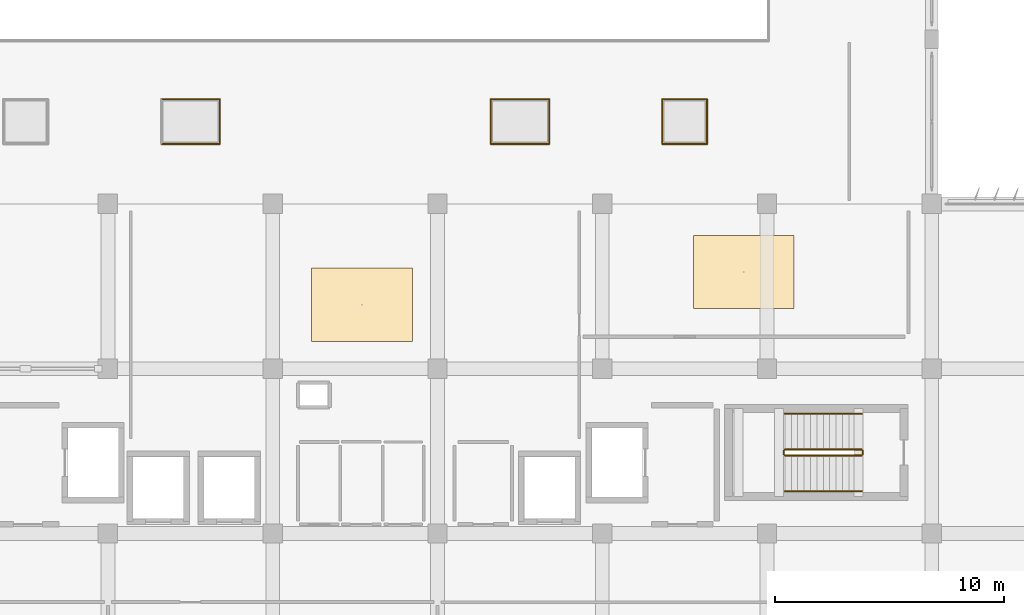
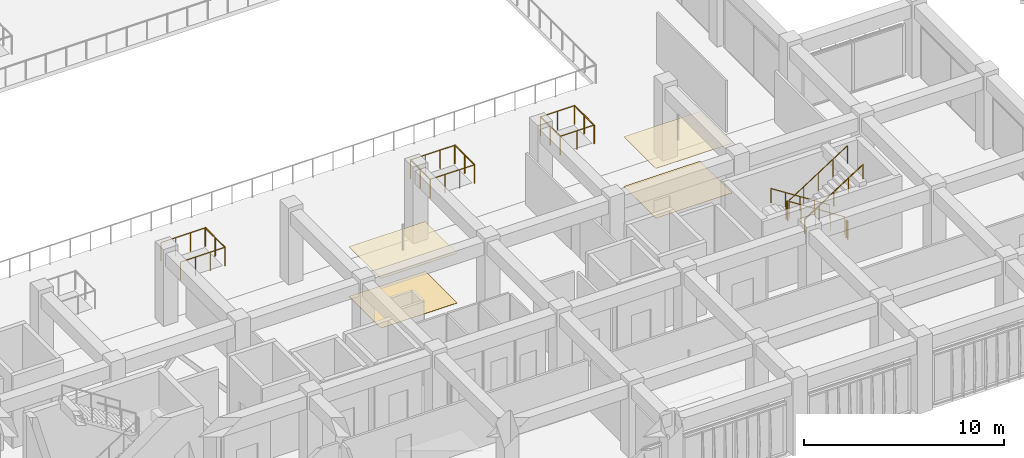
# One storey, part 52 of 55: 17 railings, 4 coverings.
"""IFC4 building model written with IfcOpenShell, lengths in metres."""

from ifc_helpers import new_model, si_unit, direction, frame, origin, origin_2d, place, context, subcontext, project, spatial, rectangle, circle, extrude, material, layer, layer_set, type_object, element, save


model = new_model("IFC4")

# Units and contexts
model_context = context("Model", 3, precision=1e-05, world=origin(), true_north=direction((0.0, 1.0)))
body_context = subcontext(model_context, "Body", "Model", "MODEL_VIEW")
ifc_project = project(units=[si_unit("LENGTHUNIT", "METRE"), si_unit("AREAUNIT", "SQUARE_METRE"), si_unit("VOLUMEUNIT", "CUBIC_METRE"), si_unit("PLANEANGLEUNIT", "RADIAN"), si_unit("MASSUNIT", "GRAM", prefix="KILO")], contexts=[model_context])

# Site, building, storey
site_placement = place(None, origin())
site = spatial("IfcSite", under=ifc_project, at=site_placement, CompositionType="ELEMENT")
building_placement = place(site_placement, origin())
building = spatial("IfcBuilding", under=site, at=building_placement, Name="Kazehaya Institute of Natural Sciences", CompositionType="ELEMENT")
storey_placement = place(building_placement, frame((0.0, 0.0, 15.1201171875)))
storey = spatial("IfcBuildingStorey", under=building, at=storey_placement, Name="L03", CompositionType="ELEMENT", Elevation=15.1201171875)

# Coverings
ifc_material_1 = material(Name="Mineral-fibre acoustic ceiling tile")
ifc_layer_1 = layer(ifc_material_1, 0.02490234375, Name="Mineral-fibre acoustic ceiling tile")
ifc_layer_set_1 = layer_set([ifc_layer_1], Name="Mineral-fibre acoustic ceiling tile")
covering_type_1 = type_object("IfcCoveringType", Name="COV-CEIL-AC", PredefinedType="CEILING", material=ifc_layer_set_1)
for number, where, z_axis, x_axis, name in (
    (1, (87.302001953125, 31.19580078125, 3.02734375), (0.0, 0.0, 1.0), (1.0, 0.0, 0.0), "L03 Isotope Geochemistry Laboratory ceiling 35"),
    (2, (103.989990234375, 32.625, 3.02734375), (0.0, 0.0, 1.0), (1.0, 0.0, 0.0), "L03 Shared NMR and Optical Instrument Suite ceiling 36"),
):
    element("IfcCovering", number, at=place(storey_placement, frame(where, z_axis=z_axis, x_axis=x_axis)), inside=storey, type_object=covering_type_1, Name=name, PredefinedType="CEILING", context=body_context, shape_type="SweptSolid", body=[
        extrude(rectangle(XDim=4.39990234375, YDim=3.199951171875, at=origin_2d()), origin(), (0.0, 0.0, 1.0), 0.02490234375),
    ])
ifc_material_2 = material(Name="Seamless chemical-resistant epoxy flooring")
ifc_layer_2 = layer(ifc_material_2, 0.014892578125, Name="Seamless chemical-resistant epoxy flooring")
ifc_layer_set_2 = layer_set([ifc_layer_2], Name="Seamless chemical-resistant epoxy flooring")
covering_type_2 = type_object("IfcCoveringType", Name="COV-FLR-EPX", PredefinedType="FLOORING", material=ifc_layer_set_2)
for number, where, z_axis, x_axis, name in (
    (3, (87.302001953125, 31.19580078125, 0.0), (0.0, 0.0, 1.0), (1.0, 0.0, 0.0), "L03 Isotope Geochemistry Laboratory finish flooring 35"),
    (4, (103.989990234375, 32.625, 0.0), (0.0, 0.0, 1.0), (1.0, 0.0, 0.0), "L03 Shared NMR and Optical Instrument Suite finish flooring 36"),
):
    element("IfcCovering", number, at=place(storey_placement, frame(where, z_axis=z_axis, x_axis=x_axis)), inside=storey, type_object=covering_type_2, Name=name, PredefinedType="FLOORING", context=body_context, shape_type="SweptSolid", body=[
        extrude(rectangle(XDim=4.39990234375, YDim=3.199951171875, at=origin_2d()), origin(), (0.0, 0.0, 1.0), 0.014892578125),
    ])

# Railings
ifc_material_3 = material(Name="Structural steel SN490B", Category="steel")
railing_type_1 = type_object("IfcRailingType", Name="RL-GUARD-VOID", PredefinedType="GUARDRAIL", material=ifc_material_3)
railing_1_placement = place(storey_placement, frame((78.52001953125, 38.219970703125, 0.0)))
element("IfcRailing", 5, at=railing_1_placement, inside=storey, type_object=railing_type_1, Name="L03 skylight 02 perimeter guard 1", PredefinedType="GUARDRAIL", context=body_context, shape_type="SweptSolid", body=[
    extrude(circle(Radius=0.02392578125, at=origin_2d()), frame((0.0, 0.0, 1.1259765625), z_axis=(1.0, 0.0, 0.0), x_axis=(0.0, 1.0, 0.0)), (0.0, 0.0, 1.0), 2.56005859375),
    extrude(circle(Radius=0.02099609375, at=origin_2d()), origin(), (0.0, 0.0, 1.0), 1.101806640625),
    extrude(circle(Radius=0.02099609375, at=origin_2d()), frame((0.853271484375, 0.0, 0.0)), (0.0, 0.0, 1.0), 1.101806640625),
    extrude(circle(Radius=0.02099609375, at=origin_2d()), frame((1.706787109375, 0.0, 0.0)), (0.0, 0.0, 1.0), 1.101806640625),
    extrude(circle(Radius=0.02099609375, at=origin_2d()), frame((2.56005859375, 0.0, 0.0)), (0.0, 0.0, 1.0), 1.101806640625),
])
railing_2_placement = place(storey_placement, frame((81.080078125, 38.219970703125, 0.0)))
element("IfcRailing", 6, at=railing_2_placement, inside=storey, type_object=railing_type_1, Name="L03 skylight 02 perimeter guard 2", PredefinedType="GUARDRAIL", context=body_context, shape_type="SweptSolid", body=[
    extrude(circle(Radius=0.02392578125, at=origin_2d()), frame((0.0, 0.0, 1.1259765625), z_axis=(0.0, 1.0, 0.0), x_axis=(-1.0, 0.0, 0.0)), (0.0, 0.0, 1.0), 1.9599609375),
    extrude(circle(Radius=0.02099609375, at=origin_2d()), origin(), (0.0, 0.0, 1.0), 1.101806640625),
    extrude(circle(Radius=0.02099609375, at=origin_2d()), frame((0.0, 0.97998046875, 0.0)), (0.0, 0.0, 1.0), 1.101806640625),
    extrude(circle(Radius=0.02099609375, at=origin_2d()), frame((0.0, 1.9599609375, 0.0)), (0.0, 0.0, 1.0), 1.101806640625),
])
railing_3_placement = place(storey_placement, frame((81.080078125, 40.179931640625, 0.0)))
element("IfcRailing", 7, at=railing_3_placement, inside=storey, type_object=railing_type_1, Name="L03 skylight 02 perimeter guard 3", PredefinedType="GUARDRAIL", context=body_context, shape_type="SweptSolid", body=[
    extrude(circle(Radius=0.02392578125, at=origin_2d()), frame((0.0, 0.0, 1.1259765625), z_axis=(-1.0, 0.0, 0.0), x_axis=(0.0, -1.0, 0.0)), (0.0, 0.0, 1.0), 2.56005859375),
    extrude(circle(Radius=0.02099609375, at=origin_2d()), origin(), (0.0, 0.0, 1.0), 1.101806640625),
    extrude(circle(Radius=0.02099609375, at=origin_2d()), frame((-0.853271484375, 0.0, 0.0)), (0.0, 0.0, 1.0), 1.101806640625),
    extrude(circle(Radius=0.02099609375, at=origin_2d()), frame((-1.706787109375, 0.0, 0.0)), (0.0, 0.0, 1.0), 1.101806640625),
    extrude(circle(Radius=0.02099609375, at=origin_2d()), frame((-2.56005859375, 0.0, 0.0)), (0.0, 0.0, 1.0), 1.101806640625),
])
railing_4_placement = place(storey_placement, frame((92.919921875, 38.219970703125, 0.0)))
element("IfcRailing", 8, at=railing_4_placement, inside=storey, type_object=railing_type_1, Name="L03 skylight 03 perimeter guard 1", PredefinedType="GUARDRAIL", context=body_context, shape_type="SweptSolid", body=[
    extrude(circle(Radius=0.02392578125, at=origin_2d()), frame((0.0, 0.0, 1.1259765625), z_axis=(1.0, 0.0, 0.0), x_axis=(0.0, 1.0, 0.0)), (0.0, 0.0, 1.0), 2.56005859375),
    extrude(circle(Radius=0.02099609375, at=origin_2d()), origin(), (0.0, 0.0, 1.0), 1.101806640625),
    extrude(circle(Radius=0.02099609375, at=origin_2d()), frame((0.853271484375, 0.0, 0.0)), (0.0, 0.0, 1.0), 1.101806640625),
    extrude(circle(Radius=0.02099609375, at=origin_2d()), frame((1.706787109375, 0.0, 0.0)), (0.0, 0.0, 1.0), 1.101806640625),
    extrude(circle(Radius=0.02099609375, at=origin_2d()), frame((2.56005859375, 0.0, 0.0)), (0.0, 0.0, 1.0), 1.101806640625),
])
railing_5_placement = place(storey_placement, frame((95.47998046875, 38.219970703125, 0.0)))
element("IfcRailing", 9, at=railing_5_placement, inside=storey, type_object=railing_type_1, Name="L03 skylight 03 perimeter guard 2", PredefinedType="GUARDRAIL", context=body_context, shape_type="SweptSolid", body=[
    extrude(circle(Radius=0.02392578125, at=origin_2d()), frame((0.0, 0.0, 1.1259765625), z_axis=(0.0, 1.0, 0.0), x_axis=(-1.0, 0.0, 0.0)), (0.0, 0.0, 1.0), 1.9599609375),
    extrude(circle(Radius=0.02099609375, at=origin_2d()), origin(), (0.0, 0.0, 1.0), 1.101806640625),
    extrude(circle(Radius=0.02099609375, at=origin_2d()), frame((0.0, 0.97998046875, 0.0)), (0.0, 0.0, 1.0), 1.101806640625),
    extrude(circle(Radius=0.02099609375, at=origin_2d()), frame((0.0, 1.9599609375, 0.0)), (0.0, 0.0, 1.0), 1.101806640625),
])
railing_6_placement = place(storey_placement, frame((95.47998046875, 40.179931640625, 0.0)))
element("IfcRailing", 10, at=railing_6_placement, inside=storey, type_object=railing_type_1, Name="L03 skylight 03 perimeter guard 3", PredefinedType="GUARDRAIL", context=body_context, shape_type="SweptSolid", body=[
    extrude(circle(Radius=0.02392578125, at=origin_2d()), frame((0.0, 0.0, 1.1259765625), z_axis=(-1.0, 0.0, 0.0), x_axis=(0.0, -1.0, 0.0)), (0.0, 0.0, 1.0), 2.56005859375),
    extrude(circle(Radius=0.02099609375, at=origin_2d()), origin(), (0.0, 0.0, 1.0), 1.101806640625),
    extrude(circle(Radius=0.02099609375, at=origin_2d()), frame((-0.853271484375, 0.0, 0.0)), (0.0, 0.0, 1.0), 1.101806640625),
    extrude(circle(Radius=0.02099609375, at=origin_2d()), frame((-1.706787109375, 0.0, 0.0)), (0.0, 0.0, 1.0), 1.101806640625),
    extrude(circle(Radius=0.02099609375, at=origin_2d()), frame((-2.56005859375, 0.0, 0.0)), (0.0, 0.0, 1.0), 1.101806640625),
])
railing_7_placement = place(storey_placement, frame((92.919921875, 40.179931640625, 0.0)))
element("IfcRailing", 11, at=railing_7_placement, inside=storey, type_object=railing_type_1, Name="L03 skylight 03 perimeter guard 4", PredefinedType="GUARDRAIL", context=body_context, shape_type="SweptSolid", body=[
    extrude(circle(Radius=0.02392578125, at=origin_2d()), frame((0.0, 0.0, 1.1259765625), z_axis=(0.0, -1.0, 0.0), x_axis=(1.0, 0.0, 0.0)), (0.0, 0.0, 1.0), 1.9599609375),
    extrude(circle(Radius=0.02099609375, at=origin_2d()), origin(), (0.0, 0.0, 1.0), 1.101806640625),
    extrude(circle(Radius=0.02099609375, at=origin_2d()), frame((0.0, -0.97998046875, 0.0)), (0.0, 0.0, 1.0), 1.101806640625),
    extrude(circle(Radius=0.02099609375, at=origin_2d()), frame((0.0, -1.9599609375, 0.0)), (0.0, 0.0, 1.0), 1.101806640625),
])
railing_8_placement = place(storey_placement, frame((100.419921875, 38.219970703125, 0.0)))
element("IfcRailing", 12, at=railing_8_placement, inside=storey, type_object=railing_type_1, Name="L03 skylight 04 perimeter guard 1", PredefinedType="GUARDRAIL", context=body_context, shape_type="SweptSolid", body=[
    extrude(circle(Radius=0.02392578125, at=origin_2d()), frame((0.0, 0.0, 1.1259765625), z_axis=(1.0, 0.0, 0.0), x_axis=(0.0, 1.0, 0.0)), (0.0, 0.0, 1.0), 1.9599609375),
    extrude(circle(Radius=0.02099609375, at=origin_2d()), origin(), (0.0, 0.0, 1.0), 1.101806640625),
    extrude(circle(Radius=0.02099609375, at=origin_2d()), frame((0.97998046875, 0.0, 0.0)), (0.0, 0.0, 1.0), 1.101806640625),
    extrude(circle(Radius=0.02099609375, at=origin_2d()), frame((1.9599609375, 0.0, 0.0)), (0.0, 0.0, 1.0), 1.101806640625),
])
railing_9_placement = place(storey_placement, frame((102.3798828125, 38.219970703125, 0.0)))
element("IfcRailing", 13, at=railing_9_placement, inside=storey, type_object=railing_type_1, Name="L03 skylight 04 perimeter guard 2", PredefinedType="GUARDRAIL", context=body_context, shape_type="SweptSolid", body=[
    extrude(circle(Radius=0.02392578125, at=origin_2d()), frame((0.0, 0.0, 1.1259765625), z_axis=(0.0, 1.0, 0.0), x_axis=(-1.0, 0.0, 0.0)), (0.0, 0.0, 1.0), 1.9599609375),
    extrude(circle(Radius=0.02099609375, at=origin_2d()), origin(), (0.0, 0.0, 1.0), 1.101806640625),
    extrude(circle(Radius=0.02099609375, at=origin_2d()), frame((0.0, 0.97998046875, 0.0)), (0.0, 0.0, 1.0), 1.101806640625),
    extrude(circle(Radius=0.02099609375, at=origin_2d()), frame((0.0, 1.9599609375, 0.0)), (0.0, 0.0, 1.0), 1.101806640625),
])
railing_10_placement = place(storey_placement, frame((102.3798828125, 40.179931640625, 0.0)))
element("IfcRailing", 14, at=railing_10_placement, inside=storey, type_object=railing_type_1, Name="L03 skylight 04 perimeter guard 3", PredefinedType="GUARDRAIL", context=body_context, shape_type="SweptSolid", body=[
    extrude(circle(Radius=0.02392578125, at=origin_2d()), frame((0.0, 0.0, 1.1259765625), z_axis=(-1.0, 0.0, 0.0), x_axis=(0.0, -1.0, 0.0)), (0.0, 0.0, 1.0), 1.9599609375),
    extrude(circle(Radius=0.02099609375, at=origin_2d()), origin(), (0.0, 0.0, 1.0), 1.101806640625),
    extrude(circle(Radius=0.02099609375, at=origin_2d()), frame((-0.97998046875, 0.0, 0.0)), (0.0, 0.0, 1.0), 1.101806640625),
    extrude(circle(Radius=0.02099609375, at=origin_2d()), frame((-1.9599609375, 0.0, 0.0)), (0.0, 0.0, 1.0), 1.101806640625),
])
railing_11_placement = place(storey_placement, frame((100.419921875, 40.179931640625, 0.0)))
element("IfcRailing", 15, at=railing_11_placement, inside=storey, type_object=railing_type_1, Name="L03 skylight 04 perimeter guard 4", PredefinedType="GUARDRAIL", context=body_context, shape_type="SweptSolid", body=[
    extrude(circle(Radius=0.02392578125, at=origin_2d()), frame((0.0, 0.0, 1.1259765625), z_axis=(0.0, -1.0, 0.0), x_axis=(1.0, 0.0, 0.0)), (0.0, 0.0, 1.0), 1.9599609375),
    extrude(circle(Radius=0.02099609375, at=origin_2d()), origin(), (0.0, 0.0, 1.0), 1.101806640625),
    extrude(circle(Radius=0.02099609375, at=origin_2d()), frame((0.0, -0.97998046875, 0.0)), (0.0, 0.0, 1.0), 1.101806640625),
    extrude(circle(Radius=0.02099609375, at=origin_2d()), frame((0.0, -1.9599609375, 0.0)), (0.0, 0.0, 1.0), 1.101806640625),
])
railing_type_2 = type_object("IfcRailingType", Name="RL-STAIR-GRD", PredefinedType="GUARDRAIL", material=ifc_material_3)
railing_12_placement = place(storey_placement, frame((109.139892578125, 24.8701171875, 0.179931640625)))
element("IfcRailing", 16, at=railing_12_placement, inside=storey, type_object=railing_type_2, Name="L03 ST-2 stair guard 1", PredefinedType="GUARDRAIL", context=body_context, shape_type="SweptSolid", body=[
    extrude(circle(Radius=0.02392578125, at=origin_2d()), frame((0.0, 0.0, 1.076171875), z_axis=(-0.841178475377, 0.0, 0.540757591313), x_axis=(0.0, -1.0, 0.0)), (0.0, 0.0, 1.0), 3.994140625),
    extrude(circle(Radius=0.02099609375, at=origin_2d()), origin(), (0.0, 0.0, 1.0), 1.052001953125),
    extrude(circle(Radius=0.02099609375, at=origin_2d()), frame((-0.83984375, 0.0, 0.5400390625)), (0.0, 0.0, 1.0), 1.052001953125),
    extrude(circle(Radius=0.02099609375, at=origin_2d()), frame((-1.679931640625, 0.0, 1.080078125)), (0.0, 0.0, 1.0), 1.052001953125),
    extrude(circle(Radius=0.02099609375, at=origin_2d()), frame((-2.52001953125, 0.0, 1.619873046875)), (0.0, 0.0, 1.0), 1.052001953125),
    extrude(circle(Radius=0.02099609375, at=origin_2d()), frame((-3.35986328125, 0.0, 2.159912109375)), (0.0, 0.0, 1.0), 1.052001953125),
])
railing_13_placement = place(storey_placement, frame((105.72998046875, 24.820068359375, 2.33984375)))
element("IfcRailing", 17, at=railing_13_placement, inside=storey, type_object=railing_type_2, Name="L03 ST-2 stair guard 2", PredefinedType="GUARDRAIL", context=body_context, shape_type="SweptSolid", body=[
    extrude(circle(Radius=0.02392578125, at=origin_2d()), frame((0.0, 0.0, 1.076171875), z_axis=(0.0, -1.0, 0.0), x_axis=(1.0, 0.0, 0.0)), (0.0, 0.0, 1.0), 0.16015625),
    extrude(circle(Radius=0.02099609375, at=origin_2d()), origin(), (0.0, 0.0, 1.0), 1.052001953125),
    extrude(circle(Radius=0.02099609375, at=origin_2d()), frame((0.0, -0.16015625, 0.0)), (0.0, 0.0, 1.0), 1.052001953125),
])
railing_14_placement = place(storey_placement, frame((105.780029296875, 24.610107421875, 2.519775390625)))
element("IfcRailing", 18, at=railing_14_placement, inside=storey, type_object=railing_type_2, Name="L03 ST-2 stair guard 3", PredefinedType="GUARDRAIL", context=body_context, shape_type="SweptSolid", body=[
    extrude(circle(Radius=0.02392578125, at=origin_2d()), frame((0.0, 0.0, 1.076171875), z_axis=(0.841150671818, 0.0, 0.540800838849), x_axis=(0.0, 1.0, 0.0)), (0.0, 0.0, 1.0), 3.994384765625),
    extrude(circle(Radius=0.02099609375, at=origin_2d()), origin(), (0.0, 0.0, 1.0), 1.052001953125),
    extrude(circle(Radius=0.02099609375, at=origin_2d()), frame((0.83984375, 0.0, 0.5400390625)), (0.0, 0.0, 1.0), 1.052001953125),
    extrude(circle(Radius=0.02099609375, at=origin_2d()), frame((1.679931640625, 0.0, 1.080078125)), (0.0, 0.0, 1.0), 1.052001953125),
    extrude(circle(Radius=0.02099609375, at=origin_2d()), frame((2.52001953125, 0.0, 1.6201171875)), (0.0, 0.0, 1.0), 1.052001953125),
    extrude(circle(Radius=0.02099609375, at=origin_2d()), frame((3.35986328125, 0.0, 2.16015625)), (0.0, 0.0, 1.0), 1.052001953125),
])
railing_15_placement = place(storey_placement, frame((109.18994140625, 24.820068359375, 0.0)))
element("IfcRailing", 19, at=railing_15_placement, inside=storey, type_object=railing_type_2, Name="L03 ST-2 stair guard 4", PredefinedType="GUARDRAIL", context=body_context, shape_type="SweptSolid", body=[
    extrude(circle(Radius=0.02392578125, at=origin_2d()), frame((0.0, 0.0, 1.076171875), z_axis=(0.0, -1.0, 0.0), x_axis=(1.0, 0.0, 0.0)), (0.0, 0.0, 1.0), 0.16015625),
    extrude(circle(Radius=0.02099609375, at=origin_2d()), origin(), (0.0, 0.0, 1.0), 1.052001953125),
    extrude(circle(Radius=0.02099609375, at=origin_2d()), frame((0.0, -0.16015625, 0.0)), (0.0, 0.0, 1.0), 1.052001953125),
])
ifc_material_4 = material(Name="Brushed stainless steel handrail", Category="steel")
railing_type_3 = type_object("IfcRailingType", Name="RL-STAIR-HND", PredefinedType="HANDRAIL", material=ifc_material_4)
railing_16_placement = place(storey_placement, frame((109.139892578125, 26.429931640625, 0.179931640625)))
element("IfcRailing", 20, at=railing_16_placement, inside=storey, type_object=railing_type_3, Name="L03 ST-2 stair handrail 1", PredefinedType="HANDRAIL", context=body_context, shape_type="SweptSolid", body=[
    extrude(circle(Radius=0.02392578125, at=origin_2d()), frame((0.0, 0.0, 0.8759765625), z_axis=(-0.841178475377, 0.0, 0.540757591313), x_axis=(0.0, -1.0, 0.0)), (0.0, 0.0, 1.0), 3.994140625),
    extrude(circle(Radius=0.02099609375, at=origin_2d()), origin(), (0.0, 0.0, 1.0), 0.851806640625),
    extrude(circle(Radius=0.02099609375, at=origin_2d()), frame((-0.83984375, 0.0, 0.5400390625)), (0.0, 0.0, 1.0), 0.851806640625),
    extrude(circle(Radius=0.02099609375, at=origin_2d()), frame((-1.679931640625, 0.0, 1.080078125)), (0.0, 0.0, 1.0), 0.851806640625),
    extrude(circle(Radius=0.02099609375, at=origin_2d()), frame((-2.52001953125, 0.0, 1.619873046875)), (0.0, 0.0, 1.0), 0.851806640625),
    extrude(circle(Radius=0.02099609375, at=origin_2d()), frame((-3.35986328125, 0.0, 2.159912109375)), (0.0, 0.0, 1.0), 0.851806640625),
])
railing_17_placement = place(storey_placement, frame((105.780029296875, 23.050048828125, 2.519775390625)))
element("IfcRailing", 21, at=railing_17_placement, inside=storey, type_object=railing_type_3, Name="L03 ST-2 stair handrail 2", PredefinedType="HANDRAIL", context=body_context, shape_type="SweptSolid", body=[
    extrude(circle(Radius=0.02392578125, at=origin_2d()), frame((0.0, 0.0, 0.8759765625), z_axis=(0.841150671818, 0.0, 0.540800838849), x_axis=(0.0, 1.0, 0.0)), (0.0, 0.0, 1.0), 3.994384765625),
    extrude(circle(Radius=0.02099609375, at=origin_2d()), origin(), (0.0, 0.0, 1.0), 0.851806640625),
    extrude(circle(Radius=0.02099609375, at=origin_2d()), frame((0.83984375, 0.0, 0.5400390625)), (0.0, 0.0, 1.0), 0.851806640625),
    extrude(circle(Radius=0.02099609375, at=origin_2d()), frame((1.679931640625, 0.0, 1.080078125)), (0.0, 0.0, 1.0), 0.851806640625),
    extrude(circle(Radius=0.02099609375, at=origin_2d()), frame((2.52001953125, 0.0, 1.6201171875)), (0.0, 0.0, 1.0), 0.851806640625),
    extrude(circle(Radius=0.02099609375, at=origin_2d()), frame((3.35986328125, 0.0, 2.16015625)), (0.0, 0.0, 1.0), 0.851806640625),
])

save(model, "model.ifc")
